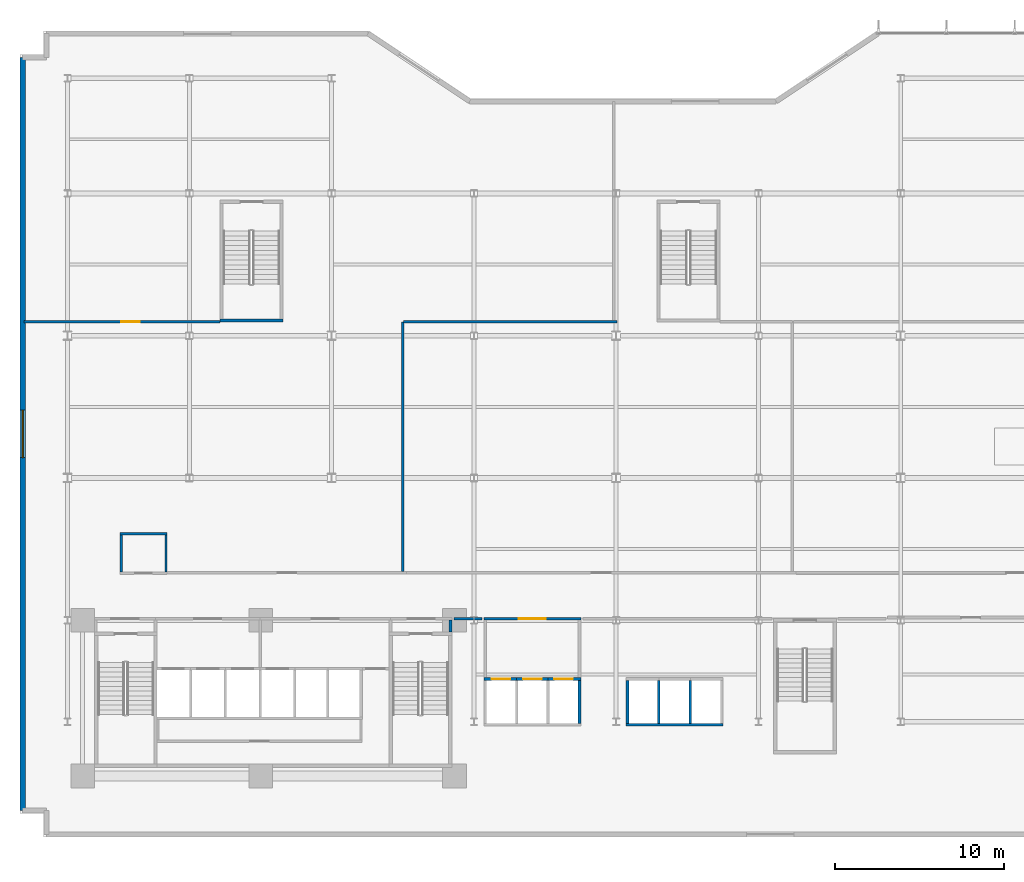
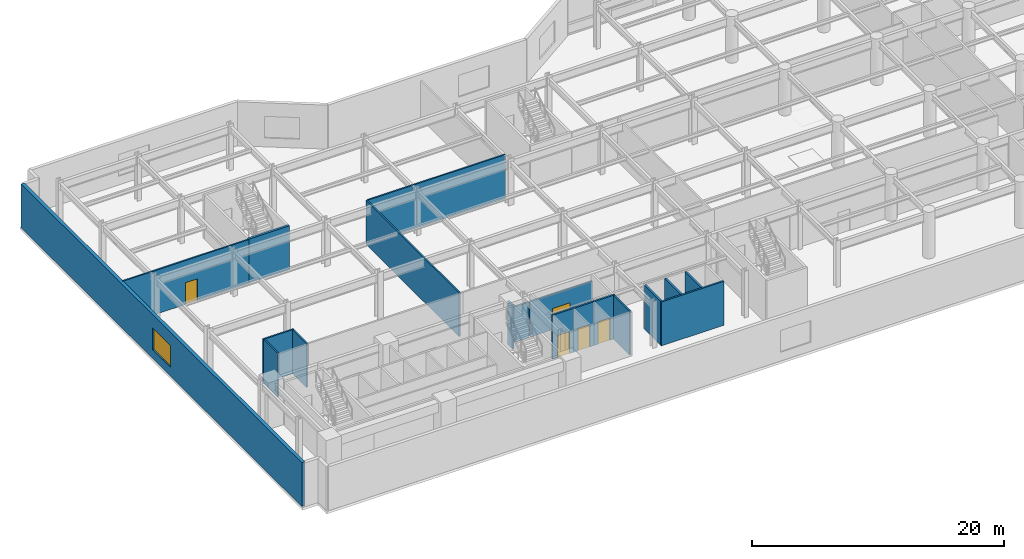
# One storey, part 15 of 26: 19 walls, 5 doors, 1 window, 6 openings.
"""IFC4 building model written with IfcOpenShell, lengths in metres."""

from ifc_helpers import new_model, si_unit, direction, frame, frame_2d, origin, place, context, subcontext, project, spatial, rectangle, extrude, material, layer, layer_set, type_object, element, fill, save


model = new_model("IFC4")

# Units and contexts
model_context = context("Model", 3, precision=1e-05, world=origin(), true_north=direction((0.0, 1.0)))
body_context = subcontext(model_context, "Body", "Model", "MODEL_VIEW")
ifc_project = project(units=[si_unit("LENGTHUNIT", "METRE"), si_unit("AREAUNIT", "SQUARE_METRE"), si_unit("VOLUMEUNIT", "CUBIC_METRE"), si_unit("PLANEANGLEUNIT", "RADIAN"), si_unit("MASSUNIT", "GRAM", prefix="KILO")], contexts=[model_context])

# Site, building, storey
site_placement = place(None, origin())
site = spatial("IfcSite", under=ifc_project, at=site_placement, CompositionType="ELEMENT")
building_placement = place(site_placement, origin())
building = spatial("IfcBuilding", under=site, at=building_placement, Name="Varnakote Quay Hospital", CompositionType="ELEMENT")
storey_placement = place(building_placement, frame((0.0, 0.0, 9.0)))
storey = spatial("IfcBuildingStorey", under=building, at=storey_placement, Name="L02", CompositionType="ELEMENT", Elevation=9.0)

# Wall
ifc_material_1 = material(Name="Fire-rated acoustic gypsum stud wall", Category="gypsum")
ifc_layer_1 = layer(ifc_material_1, 0.159912109375)
ifc_layer_set_1 = layer_set([ifc_layer_1], Name="Fire-rated acoustic gypsum stud wall")
wall_type_1 = type_object("IfcWallType", Name="WL-COMP-160", PredefinedType="PARTITIONING", material=ifc_layer_set_1)
wall_1_placement = place(storey_placement, frame((23.820068359375, 11.300048828125, 0.0), z_axis=(0.0, 0.0, 1.0), x_axis=(0.0, 1.0, 0.0)))
element("IfcWall", 1, at=wall_1_placement, inside=storey, type_object=wall_type_1, Name="L02 East Stair Vestibule East Wall", PredefinedType="PARTITIONING", context=body_context, shape_type="SweptSolid", body=[
    extrude(rectangle(XDim=0.699951171875, YDim=0.159912109375, at=frame_2d((0.35009765625, 0.0))), origin(), (0.0, 0.0, 1.0), 4.25),
])

# Wall, opening, door
wall_2_placement = place(storey_placement, frame((25.7900390625, 12.080078125, 0.0), z_axis=(0.0, 0.0, 1.0), x_axis=(1.0, 0.0, 0.0)))
wall_2 = element("IfcWall", 2, at=wall_2_placement, inside=storey, type_object=wall_type_1, Name="L02 Low-Rise Lift Lobby North Wall", PredefinedType="PARTITIONING", context=body_context, shape_type="SweptSolid", body=[
    extrude(rectangle(XDim=5.719970703125, YDim=0.159912109375, at=frame_2d((2.85986328125, 0.0))), origin(), (0.0, 0.0, 1.0), 3.425048828125),
])
opening_1_placement = place(wall_2_placement, frame((2.06005859375, 0.0, 0.0)))
opening_1 = element("IfcOpeningElement", 3, at=opening_1_placement, cuts=wall_2, Name="Opening D-PLL-L02", PredefinedType="OPENING", context=body_context, shape_type="SweptSolid", body=[
    extrude(rectangle(XDim=1.60009765625, YDim=2.050048828125, at=frame_2d((0.800048828125, 1.02490234375))), frame((0.0, 0.08984375, 0.0), z_axis=(0.0, -1.0, 0.0), x_axis=(1.0, 0.0, 0.0)), (0.0, 0.0, 1.0), 0.179931640625),
])
ifc_material_2 = material(Name="Fire-rated double smoke lobby door")
door_type_1 = type_object("IfcDoorType", Name="DR-LOBBY-FD60S-1600x2150", OperationType="NOTDEFINED", PredefinedType="DOOR", material=ifc_material_2)
door_1_placement = place(opening_1_placement, origin())
door_1 = element("IfcDoor", 4, at=door_1_placement, inside=storey, type_object=door_type_1, Name="L02 Low-Rise Passenger Concourse Vestibule Door", OperationType="DOUBLE_DOOR_SINGLE_SWING", OverallHeight=2.050048828125, OverallWidth=1.60009765625, PredefinedType="DOOR", context=body_context, shape_type="SweptSolid", body=[
    extrude(rectangle(XDim=1.60009765625, YDim=2.050048828125, at=frame_2d((0.800048828125, 1.02490234375))), frame((0.0, 0.02490234375, 0.0), z_axis=(0.0, -1.0, 0.0), x_axis=(1.0, 0.0, 0.0)), (0.0, 0.0, 1.0), 0.050048828125),
])
fill(opening_1, door_1)

# Wall
wall_3_placement = place(storey_placement, frame((24.02001953125, 12.080078125, 0.0), z_axis=(0.0, 0.0, 1.0), x_axis=(1.0, 0.0, 0.0)))
element("IfcWall", 5, at=wall_3_placement, inside=storey, type_object=wall_type_1, Name="L02 Corridor South Gap Wall", PredefinedType="PARTITIONING", context=body_context, shape_type="SweptSolid", body=[
    extrude(rectangle(XDim=1.64990234375, YDim=0.159912109375, at=frame_2d((0.824951171875, 0.0))), origin(), (0.0, 0.0, 1.0), 3.425048828125),
])

# Wall, opening, window
ifc_material_3 = material(Name="Precast concrete N50 (f'c 50 MPa)", Category="concrete")
ifc_layer_2 = layer(ifc_material_3, 0.300048828125)
ifc_layer_set_2 = layer_set([ifc_layer_2], Name="Precast concrete N50 (f'c 50 MPa)")
wall_type_2 = type_object("IfcWallType", Name="WL-EXT-BRICK-300", PredefinedType="STANDARD", material=ifc_layer_set_2)
wall_4_placement = place(storey_placement, frame((-1.43994140625, 45.239990234375, 0.0), z_axis=(0.0, 0.0, 1.0), x_axis=(0.0, -1.0, 0.0)))
wall_4 = element("IfcWall", 6, at=wall_4_placement, inside=storey, type_object=wall_type_2, Name="L02 Brick-Faced Precast Exterior Wall", PredefinedType="STANDARD", context=body_context, shape_type="SweptSolid", body=[
    extrude(rectangle(XDim=44.47998046875, YDim=0.300048828125, at=frame_2d((22.239990234375, 0.0))), origin(), (0.0, 0.0, 1.0), 4.25),
])
opening_2_placement = place(wall_4_placement, frame((20.840087890625, 0.0, 0.85009765625)))
opening_2 = element("IfcOpeningElement", 7, at=opening_2_placement, cuts=wall_4, Name="Opening WN-0018", PredefinedType="OPENING", context=body_context, shape_type="SweptSolid", body=[
    extrude(rectangle(XDim=2.800048828125, YDim=2.10009765625, at=frame_2d((1.39990234375, 1.050048828125))), frame((0.0, 0.159912109375, 0.0), z_axis=(0.0, -1.0, 0.0), x_axis=(1.0, 0.0, 0.0)), (0.0, 0.0, 1.0), 0.320068359375),
])
ifc_material_4 = material(Name="Double-glazed acoustic laminated glass", Category="glass")
window_type = type_object("IfcWindowType", Name="WIN-POD-2800x2100", PartitioningType="SINGLE_PANEL", PredefinedType="WINDOW", material=ifc_material_4)
window_placement = place(opening_2_placement, origin())
window = element("IfcWindow", 8, at=window_placement, inside=storey, type_object=window_type, Name="L02 Solar-Control Clinical Window", OverallHeight=2.10009765625, OverallWidth=2.800048828125, PartitioningType="SINGLE_PANEL", PredefinedType="WINDOW", context=body_context, shape_type="SweptSolid", body=[
    extrude(rectangle(XDim=2.800048828125, YDim=2.10009765625, at=frame_2d((1.39990234375, 1.050048828125))), frame((0.0, 0.030029296875, 0.0), z_axis=(0.0, -1.0, 0.0), x_axis=(1.0, 0.0, 0.0)), (0.0, 0.0, 1.0), 0.06005859375),
])
fill(opening_2, window)

# Walls
ifc_material_5 = material(Name="Concrete N50 (f'c 50 MPa)", Category="concrete")
ifc_layer_3 = layer(ifc_material_5, 0.14990234375)
ifc_layer_set_3 = layer_set([ifc_layer_3], Name="Concrete N50 (f'c 50 MPa)")
wall_type_3 = type_object("IfcWallType", Name="WL-SHAFT-N50-150", PredefinedType="SHEAR", material=ifc_layer_set_3)
for number, where, z_axis, x_axis, name in (
    (9, (36.125, 5.89990234375, 0.0), (0.0, 0.0, 1.0), (0.0, 1.0, 0.0), "L02 LF-PM1 Hoistway Divider Wall"),
    (10, (37.97509765625, 5.89990234375, 0.0), (0.0, 0.0, 1.0), (0.0, 1.0, 0.0), "L02 LF-PM2 Hoistway Divider Wall"),
):
    element("IfcWall", number, at=place(storey_placement, frame(where, z_axis=z_axis, x_axis=x_axis)), inside=storey, type_object=wall_type_3, Name=name, PredefinedType="SHEAR", context=body_context, shape_type="SweptSolid", body=[
        extrude(rectangle(XDim=2.550048828125, YDim=0.14990234375, at=frame_2d((1.27490234375, 0.0))), origin(), (0.0, 0.0, 1.0), 4.25),
    ])
ifc_material_6 = material(Name="Concrete N50 (f'c 50 MPa)", Category="concrete")
ifc_layer_4 = layer(ifc_material_6, 0.159912109375)
ifc_layer_set_4 = layer_set([ifc_layer_4], Name="Concrete N50 (f'c 50 MPa)")
wall_type_4 = type_object("IfcWallType", Name="WL-SHAFT-N50-160", PredefinedType="SHEAR", material=ifc_layer_set_4)
wall_5_placement = place(storey_placement, frame((31.429931640625, 5.89990234375, 0.0), z_axis=(0.0, 0.0, 1.0), x_axis=(0.0, 1.0, 0.0)))
element("IfcWall", 11, at=wall_5_placement, inside=storey, type_object=wall_type_4, Name="L02 LOW Lift Bank East Shear Wall", PredefinedType="SHEAR", context=body_context, shape_type="SweptSolid", body=[
    extrude(rectangle(XDim=2.550048828125, YDim=0.159912109375, at=frame_2d((1.27490234375, 0.0))), origin(), (0.0, 0.0, 1.0), 4.25),
])

# Wall, opening, door
wall_6_placement = place(storey_placement, frame((25.7900390625, 8.530029296875, 0.0), z_axis=(0.0, 0.0, 1.0), x_axis=(1.0, 0.0, 0.0)))
wall_6 = element("IfcWall", 12, at=wall_6_placement, inside=storey, type_object=wall_type_4, Name="L02 LF-PL1 Hoistway Front Wall", PredefinedType="SHEAR", context=body_context, shape_type="SweptSolid", body=[
    extrude(rectangle(XDim=1.93505859375, YDim=0.159912109375, at=frame_2d((0.967529296875, 0.0))), origin(), (0.0, 0.0, 1.0), 4.25),
])
opening_3_placement = place(wall_6_placement, frame((0.4599609375, 0.0, 0.0)))
opening_3 = element("IfcOpeningElement", 13, at=opening_3_placement, cuts=wall_6, Name="Opening LD-PL1-L02", PredefinedType="OPENING", context=body_context, shape_type="SweptSolid", body=[
    extrude(rectangle(XDim=1.10009765625, YDim=2.14990234375, at=frame_2d((0.550048828125, 1.074951171875))), frame((0.0, 0.08984375, 0.0), z_axis=(0.0, -1.0, 0.0), x_axis=(1.0, 0.0, 0.0)), (0.0, 0.0, 1.0), 0.179931640625),
])
ifc_material_7 = material(Name="Brushed bronze lift landing sliding door")
door_type_2 = type_object("IfcDoorType", Name="DR-LIFT-LD-1100x2150", OperationType="NOTDEFINED", PredefinedType="DOOR", material=ifc_material_7)
door_2_placement = place(opening_3_placement, origin())
door_2 = element("IfcDoor", 14, at=door_2_placement, inside=storey, type_object=door_type_2, Name="L02 LF-PL1 Lift Landing Sliding Door", OperationType="SLIDING_TO_LEFT", OverallHeight=2.14990234375, OverallWidth=1.10009765625, PredefinedType="DOOR", context=body_context, shape_type="SweptSolid", body=[
    extrude(rectangle(XDim=1.10009765625, YDim=2.14990234375, at=frame_2d((0.550048828125, 1.074951171875))), frame((0.0, 0.02490234375, 0.0), z_axis=(0.0, -1.0, 0.0), x_axis=(1.0, 0.0, 0.0)), (0.0, 0.0, 1.0), 0.050048828125),
])
fill(opening_3, door_2)

wall_7_placement = place(storey_placement, frame((27.72509765625, 8.530029296875, 0.0), z_axis=(0.0, 0.0, 1.0), x_axis=(1.0, 0.0, 0.0)))
wall_7 = element("IfcWall", 15, at=wall_7_placement, inside=storey, type_object=wall_type_4, Name="L02 LF-PL2 Hoistway Front Wall", PredefinedType="SHEAR", context=body_context, shape_type="SweptSolid", body=[
    extrude(rectangle(XDim=1.849853515625, YDim=0.159912109375, at=frame_2d((0.9248046875, 0.0))), origin(), (0.0, 0.0, 1.0), 4.25),
])
opening_4_placement = place(wall_7_placement, frame((0.375, 0.0, 0.0)))
opening_4 = element("IfcOpeningElement", 16, at=opening_4_placement, cuts=wall_7, Name="Opening LD-PL2-L02", PredefinedType="OPENING", context=body_context, shape_type="SweptSolid", body=[
    extrude(rectangle(XDim=1.10009765625, YDim=2.14990234375, at=frame_2d((0.550048828125, 1.074951171875))), frame((0.0, 0.08984375, 0.0), z_axis=(0.0, -1.0, 0.0), x_axis=(1.0, 0.0, 0.0)), (0.0, 0.0, 1.0), 0.179931640625),
])
door_3_placement = place(opening_4_placement, origin())
door_3 = element("IfcDoor", 17, at=door_3_placement, inside=storey, type_object=door_type_2, Name="L02 LF-PL2 Lift Landing Sliding Door", OperationType="SLIDING_TO_LEFT", OverallHeight=2.14990234375, OverallWidth=1.10009765625, PredefinedType="DOOR", context=body_context, shape_type="SweptSolid", body=[
    extrude(rectangle(XDim=1.10009765625, YDim=2.14990234375, at=frame_2d((0.550048828125, 1.074951171875))), frame((0.0, 0.02490234375, 0.0), z_axis=(0.0, -1.0, 0.0), x_axis=(1.0, 0.0, 0.0)), (0.0, 0.0, 1.0), 0.050048828125),
])
fill(opening_4, door_3)

wall_8_placement = place(storey_placement, frame((29.574951171875, 8.530029296875, 0.0), z_axis=(0.0, 0.0, 1.0), x_axis=(1.0, 0.0, 0.0)))
wall_8 = element("IfcWall", 18, at=wall_8_placement, inside=storey, type_object=wall_type_4, Name="L02 LF-PL3 Hoistway Front Wall", PredefinedType="SHEAR", context=body_context, shape_type="SweptSolid", body=[
    extrude(rectangle(XDim=1.93505859375, YDim=0.159912109375, at=frame_2d((0.967529296875, 0.0))), origin(), (0.0, 0.0, 1.0), 4.25),
])
opening_5_placement = place(wall_8_placement, frame((0.375, 0.0, 0.0)))
opening_5 = element("IfcOpeningElement", 19, at=opening_5_placement, cuts=wall_8, Name="Opening LD-PL3-L02", PredefinedType="OPENING", context=body_context, shape_type="SweptSolid", body=[
    extrude(rectangle(XDim=1.10009765625, YDim=2.14990234375, at=frame_2d((0.550048828125, 1.074951171875))), frame((0.0, 0.08984375, 0.0), z_axis=(0.0, -1.0, 0.0), x_axis=(1.0, 0.0, 0.0)), (0.0, 0.0, 1.0), 0.179931640625),
])
door_4_placement = place(opening_5_placement, origin())
door_4 = element("IfcDoor", 20, at=door_4_placement, inside=storey, type_object=door_type_2, Name="L02 LF-PL3 Lift Landing Sliding Door", OperationType="SLIDING_TO_LEFT", OverallHeight=2.14990234375, OverallWidth=1.10009765625, PredefinedType="DOOR", context=body_context, shape_type="SweptSolid", body=[
    extrude(rectangle(XDim=1.10009765625, YDim=2.14990234375, at=frame_2d((0.550048828125, 1.074951171875))), frame((0.0, 0.02490234375, 0.0), z_axis=(0.0, -1.0, 0.0), x_axis=(1.0, 0.0, 0.0)), (0.0, 0.0, 1.0), 0.050048828125),
])
fill(opening_5, door_4)

# Walls
wall_9_placement = place(storey_placement, frame((34.18994140625, 5.820068359375, 0.0), z_axis=(0.0, 0.0, 1.0), x_axis=(1.0, 0.0, 0.0)))
element("IfcWall", 21, at=wall_9_placement, inside=storey, type_object=wall_type_4, Name="L02 MID Lift Bank Back Shear Wall", PredefinedType="SHEAR", context=body_context, shape_type="SweptSolid", body=[
    extrude(rectangle(XDim=5.719970703125, YDim=0.159912109375, at=frame_2d((2.85986328125, 0.0))), origin(), (0.0, 0.0, 1.0), 4.25),
])
wall_10_placement = place(storey_placement, frame((34.27001953125, 5.89990234375, 0.0), z_axis=(0.0, 0.0, 1.0), x_axis=(0.0, 1.0, 0.0)))
element("IfcWall", 22, at=wall_10_placement, inside=storey, type_object=wall_type_4, Name="L02 MID Lift Bank West Shear Wall", PredefinedType="SHEAR", context=body_context, shape_type="SweptSolid", body=[
    extrude(rectangle(XDim=2.550048828125, YDim=0.159912109375, at=frame_2d((1.27490234375, 0.0))), origin(), (0.0, 0.0, 1.0), 4.25),
])
ifc_material_8 = material(Name="Concrete N50 (f'c 50 MPa)", Category="concrete")
ifc_layer_5 = layer(ifc_material_8, 0.199951171875)
ifc_layer_set_5 = layer_set([ifc_layer_5], Name="Concrete N50 (f'c 50 MPa)")
wall_type_5 = type_object("IfcWallType", Name="WL-SHAFT-N50-200", PredefinedType="SHEAR", material=ifc_layer_set_5)
wall_11_placement = place(storey_placement, frame((10.199951171875, 29.699951171875, 0.0), z_axis=(0.0, 0.0, 1.0), x_axis=(1.0, 0.0, 0.0)))
element("IfcWall", 23, at=wall_11_placement, inside=storey, type_object=wall_type_5, Name="L02 Stair ST4 South Shaft Wall", PredefinedType="SHEAR", context=body_context, shape_type="SweptSolid", body=[
    extrude(rectangle(XDim=3.739990234375, YDim=0.199951171875, at=frame_2d((1.8701171875, 0.0))), origin(), (0.0, 0.0, 1.0), 4.25),
])
ifc_material_9 = material(Name="Smoke-proof clinical partition", Category="gypsum")
ifc_layer_6 = layer(ifc_material_9, 0.135009765625)
ifc_layer_set_6 = layer_set([ifc_layer_6], Name="Smoke-proof clinical partition")
wall_type_6 = type_object("IfcWallType", Name="WL-SMOKE-135", PredefinedType="PARTITIONING", material=ifc_layer_set_6)
wall_12_placement = place(storey_placement, frame((21.0, 14.864990234375, 0.0), z_axis=(0.0, 0.0, 1.0), x_axis=(0.0, 1.0, 0.0)))
element("IfcWall", 24, at=wall_12_placement, inside=storey, type_object=wall_type_6, Name="L02 Clinical Interior Partition", PredefinedType="PARTITIONING", context=body_context, shape_type="SweptSolid", body=[
    extrude(rectangle(XDim=14.755126953125, YDim=0.135009765625, at=frame_2d((7.37744140625, 0.0))), origin(), (0.0, 0.0, 1.0), 4.25),
])

# Wall, opening, door
wall_13_placement = place(storey_placement, frame((10.199951171875, 29.6201171875, 0.0), z_axis=(0.0, 0.0, 1.0), x_axis=(-1.0, 0.0, 0.0)))
wall_13 = element("IfcWall", 25, at=wall_13_placement, inside=storey, type_object=wall_type_6, Name="L02 Clinical Interior Partition", PredefinedType="PARTITIONING", context=body_context, shape_type="SweptSolid", body=[
    extrude(rectangle(XDim=11.550048828125, YDim=0.135009765625, at=frame_2d((5.77490234375, 0.0))), origin(), (0.0, 0.0, 1.0), 4.25),
])
opening_6_placement = place(wall_13_placement, frame((4.722412109375, 0.0, 0.0)))
opening_6 = element("IfcOpeningElement", 26, at=opening_6_placement, cuts=wall_13, Name="Opening D-L02-SCRB", PredefinedType="OPENING", context=body_context, shape_type="SweptSolid", body=[
    extrude(rectangle(XDim=1.10009765625, YDim=2.10009765625, at=frame_2d((0.550048828125, 1.050048828125))), frame((0.0, 0.077392578125, 0.0), z_axis=(0.0, -1.0, 0.0), x_axis=(1.0, 0.0, 0.0)), (0.0, 0.0, 1.0), 0.155029296875),
])
ifc_material_10 = material(Name="Acoustic timber clinical consult door", Category="wood")
door_type_3 = type_object("IfcDoorType", Name="DR-CLIN-FD30S-1100x2100", OperationType="NOTDEFINED", PredefinedType="DOOR", material=ifc_material_10)
door_5_placement = place(opening_6_placement, origin())
door_5 = element("IfcDoor", 27, at=door_5_placement, inside=storey, type_object=door_type_3, Name="L02 Surgical Sterile Preparation Teaching Laboratory Door", OperationType="SINGLE_SWING_LEFT", OverallHeight=2.10009765625, OverallWidth=1.10009765625, PredefinedType="DOOR", context=body_context, shape_type="SweptSolid", body=[
    extrude(rectangle(XDim=1.10009765625, YDim=2.10009765625, at=frame_2d((0.550048828125, 1.050048828125))), frame((0.0, 0.02490234375, 0.0), z_axis=(0.0, -1.0, 0.0), x_axis=(1.0, 0.0, 0.0)), (0.0, 0.0, 1.0), 0.050048828125),
])
fill(opening_6, door_5)

# Walls
wall_14_placement = place(storey_placement, frame((33.657470703125, 29.6201171875, 0.0), z_axis=(0.0, 0.0, 1.0), x_axis=(-1.0, 0.0, 0.0)))
element("IfcWall", 28, at=wall_14_placement, inside=storey, type_object=wall_type_6, Name="L02 Clinical Interior Partition", PredefinedType="PARTITIONING", context=body_context, shape_type="SweptSolid", body=[
    extrude(rectangle(XDim=12.599853515625, YDim=0.135009765625, at=frame_2d((6.2998046875, 0.0))), origin(), (0.0, 0.0, 1.0), 4.25),
])
ifc_material_11 = material(Name="Fire-rated clinical gypsum partition", Category="gypsum")
ifc_layer_7 = layer(ifc_material_11, 0.139892578125)
ifc_layer_set_7 = layer_set([ifc_layer_7], Name="Fire-rated clinical gypsum partition")
wall_type_7 = type_object("IfcWallType", Name="WL-WARD-140", PredefinedType="PARTITIONING", material=ifc_layer_set_7)
wall_15_placement = place(storey_placement, frame((4.31005859375, 17.110107421875, 0.0), z_axis=(0.0, 0.0, 1.0), x_axis=(1.0, 0.0, 0.0)))
element("IfcWall", 29, at=wall_15_placement, inside=storey, type_object=wall_type_7, Name="L02 Floor Unisex Accessible WC N Wall", PredefinedType="PARTITIONING", context=body_context, shape_type="SweptSolid", body=[
    extrude(rectangle(XDim=2.780029296875, YDim=0.139892578125, at=frame_2d((1.39013671875, 0.0))), origin(), (0.0, 0.0, 1.0), 4.25),
])
for number, where, z_axis, x_axis, name in (
    (30, (4.3798828125, 14.840087890625, 0.0), (0.0, 0.0, 1.0), (0.0, 1.0, 0.0), "L02 Floor Unisex Accessible WC W Wall"),
    (31, (7.02001953125, 14.840087890625, 0.0), (0.0, 0.0, 1.0), (0.0, 1.0, 0.0), "L02 Floor Unisex Accessible WC E Wall"),
):
    element("IfcWall", number, at=place(storey_placement, frame(where, z_axis=z_axis, x_axis=x_axis)), inside=storey, type_object=wall_type_7, Name=name, PredefinedType="PARTITIONING", context=body_context, shape_type="SweptSolid", body=[
        extrude(rectangle(XDim=2.199951171875, YDim=0.139892578125, at=frame_2d((1.10009765625, 0.0))), origin(), (0.0, 0.0, 1.0), 4.25),
    ])

save(model, "model.ifc")
